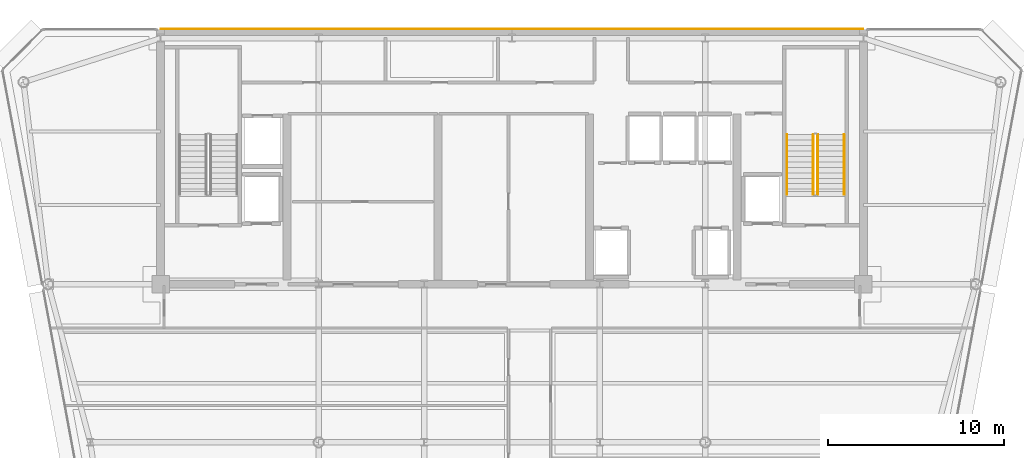
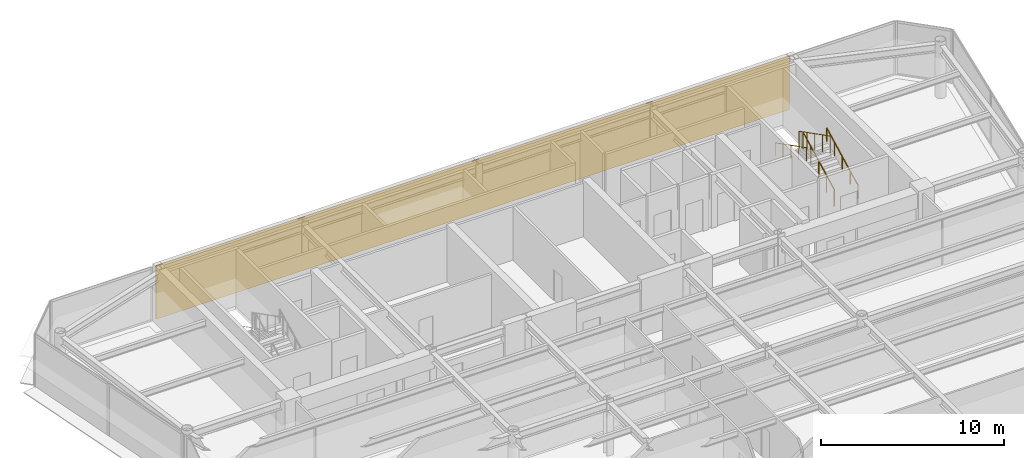
# One storey, part 17 of 18: 4 railings, 1 covering.
"""IFC4 building model written with IfcOpenShell, lengths in metres."""

from ifc_helpers import new_model, si_unit, direction, frame, origin, origin_2d, place, context, subcontext, project, spatial, polyline, circle, outline, extrude, material, layer, layer_set, type_object, element, save


model = new_model("IFC4")

# Units and contexts
model_context = context("Model", 3, precision=1e-05, world=origin(), true_north=direction((0.0, 1.0)))
body_context = subcontext(model_context, "Body", "Model", "MODEL_VIEW")
ifc_project = project(units=[si_unit("LENGTHUNIT", "METRE"), si_unit("AREAUNIT", "SQUARE_METRE"), si_unit("VOLUMEUNIT", "CUBIC_METRE"), si_unit("PLANEANGLEUNIT", "RADIAN"), si_unit("MASSUNIT", "GRAM", prefix="KILO")], contexts=[model_context])

# Site, building, storey
site_placement = place(None, origin())
site = spatial("IfcSite", under=ifc_project, at=site_placement, CompositionType="ELEMENT")
building_placement = place(site_placement, origin())
building = spatial("IfcBuilding", under=site, at=building_placement, Name="Vaeldorn Concourse Tower", CompositionType="ELEMENT")
storey_placement = place(building_placement, frame((0.0, 0.0, 257.39990234375)))
storey = spatial("IfcBuildingStorey", under=building, at=storey_placement, Name="L66", CompositionType="ELEMENT", Elevation=257.39990234375)

# Covering
ifc_material = material(Name="Anodised Bronze Aluminium", Category="aluminium")
ifc_layer = layer(ifc_material, 0.050048828125)
ifc_layer_set = layer_set([ifc_layer], Name="Anodised Bronze Aluminium")
covering_type = type_object("IfcCoveringType", Name="COV-CLAD-BRONZE", PredefinedType="CLADDING", material=ifc_layer_set)
covering_placement = place(storey_placement, origin())
element("IfcCovering", 1, at=covering_placement, inside=storey, type_object=covering_type, Name="Rear Core Bronze Spandrel Cladding L66", PredefinedType="CLADDING", context=body_context, shape_type="SweptSolid", body=[
    extrude(outline(polyline([(14.0, 51.0), (54.0, 51.0), (54.0, 51.050048828125), (14.0, 51.050048828125), (14.0, 51.0)])), origin(), (0.0, 0.0, 1.0), 3.580078125),
])

# Railings
railing_type_1 = type_object("IfcRailingType", Name="RL-STAIR-GUARD", PredefinedType="GUARDRAIL", material=ifc_material)
railing_1_placement = place(storey_placement, frame((51.39990234375, 41.60009765625, 0.158447265625)))
element("IfcRailing", 2, at=railing_1_placement, inside=storey, type_object=railing_type_1, Name="L66 ST-2 stair guard 1", PredefinedType="GUARDRAIL", context=body_context, shape_type="SweptSolid", body=[
    extrude(circle(Radius=0.02392578125, at=origin_2d()), frame((0.0, 0.0, 1.1259765625), z_axis=(0.0, 0.890555807335, 0.454873997962), x_axis=(-1.0, 0.0, 0.0)), (0.0, 0.0, 1.0), 3.828857421875),
    extrude(circle(Radius=0.02099609375, at=origin_2d()), origin(), (0.0, 0.0, 1.0), 1.101806640625),
    extrude(circle(Radius=0.02099609375, at=origin_2d()), frame((0.0, 0.8525390625, 0.435546875)), (0.0, 0.0, 1.0), 1.101806640625),
    extrude(circle(Radius=0.02099609375, at=origin_2d()), frame((0.0, 1.705078125, 0.870849609375)), (0.0, 0.0, 1.0), 1.101806640625),
    extrude(circle(Radius=0.02099609375, at=origin_2d()), frame((0.0, 2.557373046875, 1.30615234375)), (0.0, 0.0, 1.0), 1.101806640625),
    extrude(circle(Radius=0.02099609375, at=origin_2d()), frame((0.0, 3.409912109375, 1.74169921875)), (0.0, 0.0, 1.0), 1.101806640625),
])
railing_2_placement = place(storey_placement, frame((51.14990234375, 45.010009765625, 2.058349609375)))
element("IfcRailing", 3, at=railing_2_placement, inside=storey, type_object=railing_type_1, Name="L66 ST-2 stair guard 3", PredefinedType="GUARDRAIL", context=body_context, shape_type="SweptSolid", body=[
    extrude(circle(Radius=0.02392578125, at=origin_2d()), frame((0.0, 0.0, 1.1259765625), z_axis=(0.0, -0.890555807335, 0.454873997962), x_axis=(1.0, 0.0, 0.0)), (0.0, 0.0, 1.0), 3.828857421875),
    extrude(circle(Radius=0.02099609375, at=origin_2d()), origin(), (0.0, 0.0, 1.0), 1.101806640625),
    extrude(circle(Radius=0.02099609375, at=origin_2d()), frame((0.0, -0.8525390625, 0.435546875)), (0.0, 0.0, 1.0), 1.101806640625),
    extrude(circle(Radius=0.02099609375, at=origin_2d()), frame((0.0, -1.705078125, 0.870849609375)), (0.0, 0.0, 1.0), 1.101806640625),
    extrude(circle(Radius=0.02099609375, at=origin_2d()), frame((0.0, -2.557373046875, 1.30615234375)), (0.0, 0.0, 1.0), 1.101806640625),
    extrude(circle(Radius=0.02099609375, at=origin_2d()), frame((0.0, -3.409912109375, 1.74169921875)), (0.0, 0.0, 1.0), 1.101806640625),
])
railing_type_2 = type_object("IfcRailingType", Name="RL-STAIR-HANDRAIL", PredefinedType="HANDRAIL", material=ifc_material)
railing_3_placement = place(storey_placement, frame((52.89990234375, 41.60009765625, 0.158447265625)))
element("IfcRailing", 4, at=railing_3_placement, inside=storey, type_object=railing_type_2, Name="L66 ST-2 stair handrail 1", PredefinedType="HANDRAIL", context=body_context, shape_type="SweptSolid", body=[
    extrude(circle(Radius=0.02392578125, at=origin_2d()), frame((0.0, 0.0, 0.8759765625), z_axis=(0.0, 0.890555807335, 0.454873997962), x_axis=(-1.0, 0.0, 0.0)), (0.0, 0.0, 1.0), 3.828857421875),
    extrude(circle(Radius=0.02099609375, at=origin_2d()), origin(), (0.0, 0.0, 1.0), 0.851806640625),
    extrude(circle(Radius=0.02099609375, at=origin_2d()), frame((0.0, 0.8525390625, 0.435546875)), (0.0, 0.0, 1.0), 0.851806640625),
    extrude(circle(Radius=0.02099609375, at=origin_2d()), frame((0.0, 1.705078125, 0.870849609375)), (0.0, 0.0, 1.0), 0.851806640625),
    extrude(circle(Radius=0.02099609375, at=origin_2d()), frame((0.0, 2.557373046875, 1.30615234375)), (0.0, 0.0, 1.0), 0.851806640625),
    extrude(circle(Radius=0.02099609375, at=origin_2d()), frame((0.0, 3.409912109375, 1.74169921875)), (0.0, 0.0, 1.0), 0.851806640625),
])
railing_4_placement = place(storey_placement, frame((49.64990234375, 45.010009765625, 2.058349609375)))
element("IfcRailing", 5, at=railing_4_placement, inside=storey, type_object=railing_type_2, Name="L66 ST-2 stair handrail 2", PredefinedType="HANDRAIL", context=body_context, shape_type="SweptSolid", body=[
    extrude(circle(Radius=0.02392578125, at=origin_2d()), frame((0.0, 0.0, 0.8759765625), z_axis=(0.0, -0.890555807335, 0.454873997962), x_axis=(1.0, 0.0, 0.0)), (0.0, 0.0, 1.0), 3.828857421875),
    extrude(circle(Radius=0.02099609375, at=origin_2d()), origin(), (0.0, 0.0, 1.0), 0.851806640625),
    extrude(circle(Radius=0.02099609375, at=origin_2d()), frame((0.0, -0.8525390625, 0.435546875)), (0.0, 0.0, 1.0), 0.851806640625),
    extrude(circle(Radius=0.02099609375, at=origin_2d()), frame((0.0, -1.705078125, 0.870849609375)), (0.0, 0.0, 1.0), 0.851806640625),
    extrude(circle(Radius=0.02099609375, at=origin_2d()), frame((0.0, -2.557373046875, 1.30615234375)), (0.0, 0.0, 1.0), 0.851806640625),
    extrude(circle(Radius=0.02099609375, at=origin_2d()), frame((0.0, -3.409912109375, 1.74169921875)), (0.0, 0.0, 1.0), 0.851806640625),
])

save(model, "model.ifc")
